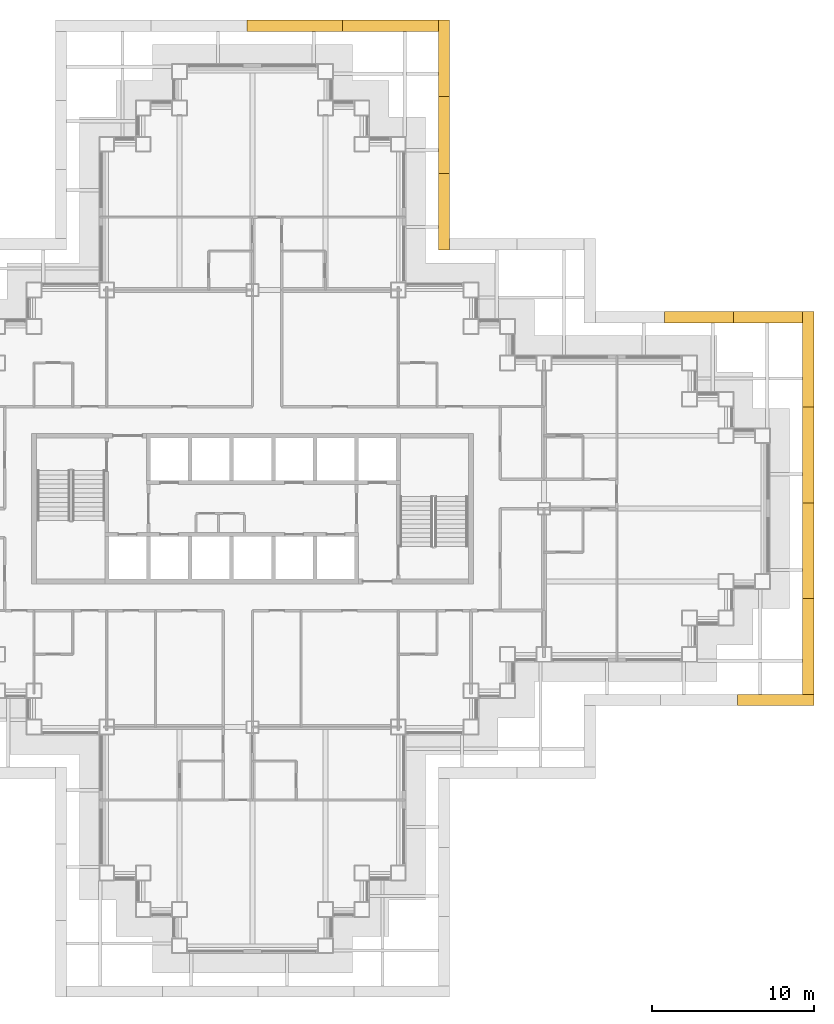
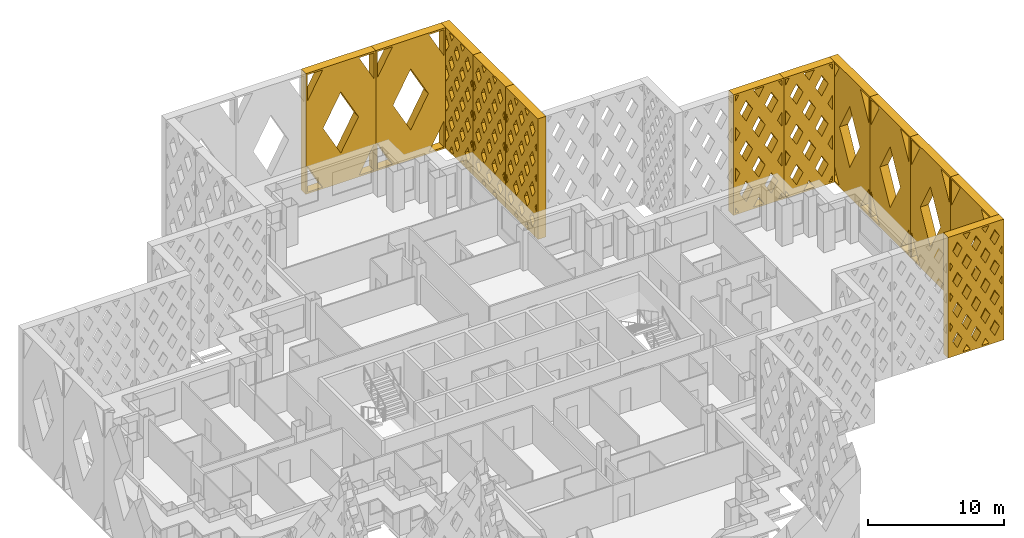
# One storey, part 19 of 19: 12 shading devices.
"""IFC4 building model written with IfcOpenShell, lengths in metres."""

import ifcopenshell
import ifcopenshell.guid

model = None  # the IFC model being written
_history = None  # IfcOwnerHistory: only IFC2X3 demands one
_inside = {}  # id of a spatial element -> (the spatial element, [elements in it])
_under = {}  # id of a project, library or spatial element -> (it, [spatial elements below it])
_declared = {}  # id of a project -> (the project, [libraries it declares])
_typed = {}  # id of a type object -> (the type object, [elements of that type])
_made_of = {}  # id of a material, layer set ... -> (it, [elements and type objects made of it])


def new_model(schema):
    """Start an empty IFC model of exactly this schema.

    Asked for "IFC4X3", IfcOpenShell would pick the latest addendum, in which some entities
    have other attributes; the version numbers below select the first issue.
    IFC2X3 requires an IfcOwnerHistory on every rooted entity: one is made here for all.
    """
    global model, _history
    if schema == "IFC4X3":
        model = ifcopenshell.file(schema_version=(4, 3, 0, 0))
    else:
        model = ifcopenshell.file(schema=schema)
    _inside.clear()
    _under.clear()
    _declared.clear()
    _typed.clear()
    _made_of.clear()
    _history = None
    if model.schema == "IFC2X3":
        org = make("IfcOrganization", Name="unknown")
        user = make(
            "IfcPersonAndOrganization",
            ThePerson=make("IfcPerson", FamilyName="unknown"),
            TheOrganization=org,
        )
        app = make(
            "IfcApplication",
            ApplicationDeveloper=org,
            Version="unknown",
            ApplicationFullName="unknown",
            ApplicationIdentifier="unknown",
        )
        _history = make(
            "IfcOwnerHistory",
            OwningUser=user,
            OwningApplication=app,
            ChangeAction="ADDED",
            CreationDate=0,
        )
    return model


def make(cls, **values):
    """One entity of the class cls with the attributes given. An attribute that is None is left unset."""
    return model.create_entity(
        cls, **{name: value for name, value in values.items() if value is not None}
    )


def rooted(cls, **values):
    """An entity with a GlobalId (a new one), such as an element, a storey or a relation."""
    return make(cls, GlobalId=ifcopenshell.guid.new(), OwnerHistory=_history, **values)


def si_unit(unit_type, name, prefix=None):
    """IfcSIUnit, for example si_unit("LENGTHUNIT", "METRE", prefix="MILLI")."""
    return make("IfcSIUnit", UnitType=unit_type, Prefix=prefix, Name=name)


def assignment(units):
    """IfcUnitAssignment: the units of a project."""
    return None if units is None else make("IfcUnitAssignment", Units=units)


def point(xyz):
    """IfcCartesianPoint."""
    return None if xyz is None else make("IfcCartesianPoint", Coordinates=xyz)


def direction(xyz):
    """IfcDirection."""
    return None if xyz is None else make("IfcDirection", DirectionRatios=xyz)


def frame(location, z_axis=None, x_axis=None):
    """IfcAxis2Placement3D, a coordinate frame: its origin and axes. An axis left out is left unset."""
    return make(
        "IfcAxis2Placement3D",
        Location=point(location),
        Axis=direction(z_axis),
        RefDirection=direction(x_axis),
    )


def origin():
    """The frame at (0, 0, 0) with its axes left unset."""
    return frame((0.0, 0.0, 0.0))


def place(relative_to, where):
    """IfcLocalPlacement: puts the frame where relative to a parent placement (None: the world)."""
    return make(
        "IfcLocalPlacement", PlacementRelTo=relative_to, RelativePlacement=where
    )


def context(
    kind, dimensions, precision=None, world=None, true_north=None, identifier=None
):
    """IfcGeometricRepresentationContext, for example the 3D "Model" context."""
    return make(
        "IfcGeometricRepresentationContext",
        ContextIdentifier=identifier,
        ContextType=kind,
        CoordinateSpaceDimension=dimensions,
        Precision=precision,
        WorldCoordinateSystem=world,
        TrueNorth=true_north,
    )


def subcontext(parent, identifier, kind, view, scale=None):
    """IfcGeometricRepresentationSubContext, for example "Body" below "Model"."""
    return make(
        "IfcGeometricRepresentationSubContext",
        ContextIdentifier=identifier,
        ContextType=kind,
        ParentContext=parent,
        TargetScale=scale,
        TargetView=view,
    )


def project(units=None, contexts=None):
    """IfcProject with its units and contexts."""
    return rooted(
        "IfcProject",
        Name="project",
        RepresentationContexts=contexts,
        UnitsInContext=assignment(units),
    )


def spatial(cls, under=None, at=None, **own):
    """A site, building, storey or space (cls), placed at a placement, below another one or the project."""
    s = rooted(cls, ObjectPlacement=at, **own)
    if under is not None:
        _under.setdefault(under.id(), (under, []))[1].append(s)
    return s


def polyline(points):
    """IfcPolyline through the points."""
    return make("IfcPolyline", Points=[point(p) for p in points])


def outline(outer, holes=None, kind="AREA"):
    """IfcArbitraryClosedProfileDef: a profile drawn as a closed curve; with holes, ...WithVoids."""
    if holes is None:
        return make("IfcArbitraryClosedProfileDef", ProfileType=kind, OuterCurve=outer)
    return make(
        "IfcArbitraryProfileDefWithVoids",
        ProfileType=kind,
        OuterCurve=outer,
        InnerCurves=holes,
    )


def extrude(swept, where, along, depth):
    """IfcExtrudedAreaSolid: the profile swept, set in the frame where, extruded along a direction by depth."""
    return make(
        "IfcExtrudedAreaSolid",
        SweptArea=swept,
        Position=where,
        ExtrudedDirection=direction(along),
        Depth=depth,
    )


def shape(context_of_items, identifier, shape_type, items):
    """IfcShapeRepresentation: the items that make up one representation, for example the "Body"."""
    return make(
        "IfcShapeRepresentation",
        ContextOfItems=context_of_items,
        RepresentationIdentifier=identifier,
        RepresentationType=shape_type,
        Items=items,
    )


def material(Name=None, Category=None):
    """IfcMaterial."""
    return make("IfcMaterial", Name=Name, Category=Category)


def made_of(thing, what):
    """Note that an element or type object is made of a material, layer set ...; save() writes the relation."""
    if what is not None:
        _made_of.setdefault(what.id(), (what, []))[1].append(thing)
    return thing


def type_object(cls, material=None, **own):
    """A type object (cls), such as IfcWallType, which elements share."""
    return made_of(rooted(cls, **own), material)


def element(
    cls,
    number,
    at=None,
    inside=None,
    cuts=None,
    type_object=None,
    material=None,
    context=None,
    identifier="Body",
    shape_type=None,
    held_by="IfcProductDefinitionShape",
    body=None,
    shapes=None,
    **own,
):
    """One element of the class cls, such as IfcWall. Its Tag is "e" and its number.

    at: its placement. inside: the storey or other place that contains it. cuts: it is an
    opening in that element (IfcRelVoidsElement). A single representation is given by context,
    identifier, shape_type and body (its items); several are given by shapes. held_by: the class
    of the entity that holds the representations. save() writes the other relations.
    """
    e = rooted(cls, Tag="e%d" % number, ObjectPlacement=at, **own)
    if body is not None:
        shapes = [shape(context, identifier, shape_type, body)]
    if shapes is not None:
        e.Representation = make(held_by, Representations=shapes)
    if inside is not None:
        _inside.setdefault(inside.id(), (inside, []))[1].append(e)
    if cuts is not None:
        rooted(
            "IfcRelVoidsElement", RelatingBuildingElement=cuts, RelatedOpeningElement=e
        )
    if type_object is not None:
        _typed.setdefault(type_object.id(), (type_object, []))[1].append(e)
    return made_of(e, material)


def aggregate(whole, parts):
    """IfcRelAggregates: a whole, such as a stair, and the parts it consists of."""
    return rooted("IfcRelAggregates", RelatingObject=whole, RelatedObjects=parts)


def save(model, path):
    """Write the relations noted so far, then the file.

    IfcRelAggregates (storeys below a building ...), IfcRelContainedInSpatialStructure (elements
    in a storey), IfcRelDefinesByType, IfcRelAssociatesMaterial and IfcRelDeclares: one each for
    every whole, place, type object, material and project.
    """
    for whole, parts in _under.values():
        aggregate(whole, parts)
    for where, things in _inside.values():
        rooted(
            "IfcRelContainedInSpatialStructure",
            RelatedElements=things,
            RelatingStructure=where,
        )
    for kind, things in _typed.values():
        rooted("IfcRelDefinesByType", RelatedObjects=things, RelatingType=kind)
    for what, things in _made_of.values():
        rooted("IfcRelAssociatesMaterial", RelatedObjects=things, RelatingMaterial=what)
    for by, libraries in _declared.values():
        rooted("IfcRelDeclares", RelatingContext=by, RelatedDefinitions=libraries)
    model.write(path)


model = new_model("IFC4")

# Units and contexts
model_context = context("Model", 3, precision=1e-05, world=origin(), true_north=direction((0.0, 1.0)))
body_context = subcontext(model_context, "Body", "Model", "MODEL_VIEW")
ifc_project = project(units=[si_unit("LENGTHUNIT", "METRE"), si_unit("AREAUNIT", "SQUARE_METRE"), si_unit("VOLUMEUNIT", "CUBIC_METRE"), si_unit("PLANEANGLEUNIT", "RADIAN"), si_unit("MASSUNIT", "GRAM", prefix="KILO")], contexts=[model_context])

# Site, building, storey
site_placement = place(None, origin())
site = spatial("IfcSite", under=ifc_project, at=site_placement, CompositionType="ELEMENT")
building_placement = place(site_placement, origin())
building = spatial("IfcBuilding", under=site, at=building_placement, Name="Caravel Reach Hotel and Residences", CompositionType="ELEMENT")
storey_placement = place(building_placement, frame((0.0, 0.0, 85.199951171875)))
storey = spatial("IfcBuildingStorey", under=building, at=storey_placement, Name="L20", CompositionType="ELEMENT", Elevation=85.199951171875)

# Shading devices
ifc_material_1 = material(Name="Black powder-coated aluminium", Category="aluminium")
shading_device_type_1 = type_object("IfcShadingDeviceType", Name="Diamond lattice screen panel 4267 x 10800", PredefinedType="USERDEFINED", material=ifc_material_1)
shading_device_1_placement = place(storey_placement, frame((65.47509765625, 38.47509765625, 0.0), z_axis=(0.0, 1.0, 0.0), x_axis=(-1.0, 0.0, 0.0)))
element("IfcShadingDevice", 1, at=shading_device_1_placement, inside=storey, type_object=shading_device_type_1, Name="Lattice screen L20-L22 8.1", ObjectType="SCREEN", PredefinedType="USERDEFINED", context=body_context, shape_type="SweptSolid", body=[
    extrude(outline(polyline([(0.0, 0.0), (4.2666015625, 0.0), (4.2666015625, 10.800048828125), (0.0, 10.800048828125), (0.0, 0.0)]), holes=[polyline([(0.457275390625, 0.14990234375), (0.14990234375, 0.66845703125), (0.14990234375, 0.14990234375), (0.457275390625, 0.14990234375)]), polyline([(0.546142578125, 3.60009765625), (0.14990234375, 4.2685546875), (0.14990234375, 2.931396484375), (0.546142578125, 3.60009765625)]), polyline([(0.546142578125, 7.199951171875), (0.14990234375, 7.868408203125), (0.14990234375, 6.531494140625), (0.546142578125, 7.199951171875)]), polyline([(0.14990234375, 10.131591796875), (0.457275390625, 10.64990234375), (0.14990234375, 10.64990234375), (0.14990234375, 10.131591796875)]), polyline([(1.066650390625, 2.7216796875), (0.5205078125, 1.800048828125), (1.066650390625, 0.87841796875), (1.61279296875, 1.800048828125), (1.066650390625, 2.7216796875)]), polyline([(1.066650390625, 6.321533203125), (0.5205078125, 5.39990234375), (1.066650390625, 4.478271484375), (1.61279296875, 5.39990234375), (1.066650390625, 6.321533203125)]), polyline([(1.066650390625, 9.921630859375), (0.5205078125, 9.0), (1.066650390625, 8.078369140625), (1.61279296875, 9.0), (1.066650390625, 9.921630859375)]), polyline([(2.13330078125, 0.921630859375), (1.676025390625, 0.14990234375), (2.590576171875, 0.14990234375), (2.13330078125, 0.921630859375)]), polyline([(2.13330078125, 4.521728515625), (1.587158203125, 3.60009765625), (2.13330078125, 2.678466796875), (2.679443359375, 3.60009765625), (2.13330078125, 4.521728515625)]), polyline([(2.13330078125, 8.12158203125), (1.587158203125, 7.199951171875), (2.13330078125, 6.2783203125), (2.679443359375, 7.199951171875), (2.13330078125, 8.12158203125)]), polyline([(2.13330078125, 9.87841796875), (2.590576171875, 10.64990234375), (1.676025390625, 10.64990234375), (2.13330078125, 9.87841796875)]), polyline([(3.199951171875, 2.7216796875), (2.65380859375, 1.800048828125), (3.199951171875, 0.87841796875), (3.74609375, 1.800048828125), (3.199951171875, 2.7216796875)]), polyline([(3.199951171875, 6.321533203125), (2.65380859375, 5.39990234375), (3.199951171875, 4.478271484375), (3.74609375, 5.39990234375), (3.199951171875, 6.321533203125)]), polyline([(3.199951171875, 9.921630859375), (2.65380859375, 9.0), (3.199951171875, 8.078369140625), (3.74609375, 9.0), (3.199951171875, 9.921630859375)]), polyline([(4.11669921875, 0.66845703125), (3.809326171875, 0.14990234375), (4.11669921875, 0.14990234375), (4.11669921875, 0.66845703125)]), polyline([(3.720458984375, 3.60009765625), (4.11669921875, 2.931396484375), (4.11669921875, 4.2685546875), (3.720458984375, 3.60009765625)]), polyline([(3.720458984375, 7.199951171875), (4.11669921875, 6.531494140625), (4.11669921875, 7.868408203125), (3.720458984375, 7.199951171875)]), polyline([(3.809326171875, 10.64990234375), (4.11669921875, 10.131591796875), (4.11669921875, 10.64990234375), (3.809326171875, 10.64990234375)])]), origin(), (0.0, 0.0, 1.0), 0.699951171875),
])
shading_device_2_placement = place(storey_placement, frame((61.208251953125, 38.47509765625, 0.0), z_axis=(0.0, 1.0, 0.0), x_axis=(-1.0, 0.0, 0.0)))
element("IfcShadingDevice", 2, at=shading_device_2_placement, inside=storey, type_object=shading_device_type_1, Name="Lattice screen L20-L22 8.2", ObjectType="SCREEN", PredefinedType="USERDEFINED", context=body_context, shape_type="SweptSolid", body=[
    extrude(outline(polyline([(0.0, 0.0), (4.2666015625, 0.0), (4.2666015625, 10.800048828125), (0.0, 10.800048828125), (0.0, 0.0)]), holes=[polyline([(0.457275390625, 0.14990234375), (0.14990234375, 0.66845703125), (0.14990234375, 0.14990234375), (0.457275390625, 0.14990234375)]), polyline([(0.546142578125, 3.60009765625), (0.14990234375, 4.2685546875), (0.14990234375, 2.931396484375), (0.546142578125, 3.60009765625)]), polyline([(0.546142578125, 7.199951171875), (0.14990234375, 7.868408203125), (0.14990234375, 6.531494140625), (0.546142578125, 7.199951171875)]), polyline([(0.14990234375, 10.131591796875), (0.457275390625, 10.64990234375), (0.14990234375, 10.64990234375), (0.14990234375, 10.131591796875)]), polyline([(1.066650390625, 2.7216796875), (0.5205078125, 1.800048828125), (1.066650390625, 0.87841796875), (1.61279296875, 1.800048828125), (1.066650390625, 2.7216796875)]), polyline([(1.066650390625, 6.321533203125), (0.5205078125, 5.39990234375), (1.066650390625, 4.478271484375), (1.61279296875, 5.39990234375), (1.066650390625, 6.321533203125)]), polyline([(1.066650390625, 9.921630859375), (0.5205078125, 9.0), (1.066650390625, 8.078369140625), (1.61279296875, 9.0), (1.066650390625, 9.921630859375)]), polyline([(2.13330078125, 0.921630859375), (1.676025390625, 0.14990234375), (2.590576171875, 0.14990234375), (2.13330078125, 0.921630859375)]), polyline([(2.13330078125, 4.521728515625), (1.587158203125, 3.60009765625), (2.13330078125, 2.678466796875), (2.679443359375, 3.60009765625), (2.13330078125, 4.521728515625)]), polyline([(2.13330078125, 8.12158203125), (1.587158203125, 7.199951171875), (2.13330078125, 6.2783203125), (2.679443359375, 7.199951171875), (2.13330078125, 8.12158203125)]), polyline([(2.13330078125, 9.87841796875), (2.590576171875, 10.64990234375), (1.676025390625, 10.64990234375), (2.13330078125, 9.87841796875)]), polyline([(3.199951171875, 2.7216796875), (2.65380859375, 1.800048828125), (3.199951171875, 0.87841796875), (3.74609375, 1.800048828125), (3.199951171875, 2.7216796875)]), polyline([(3.199951171875, 6.321533203125), (2.65380859375, 5.39990234375), (3.199951171875, 4.478271484375), (3.74609375, 5.39990234375), (3.199951171875, 6.321533203125)]), polyline([(3.199951171875, 9.921630859375), (2.65380859375, 9.0), (3.199951171875, 8.078369140625), (3.74609375, 9.0), (3.199951171875, 9.921630859375)]), polyline([(4.11669921875, 0.66845703125), (3.809326171875, 0.14990234375), (4.11669921875, 0.14990234375), (4.11669921875, 0.66845703125)]), polyline([(3.720458984375, 3.60009765625), (4.11669921875, 2.931396484375), (4.11669921875, 4.2685546875), (3.720458984375, 3.60009765625)]), polyline([(3.720458984375, 7.199951171875), (4.11669921875, 6.531494140625), (4.11669921875, 7.868408203125), (3.720458984375, 7.199951171875)]), polyline([(3.809326171875, 10.64990234375), (4.11669921875, 10.131591796875), (4.11669921875, 10.64990234375), (3.809326171875, 10.64990234375)])]), origin(), (0.0, 0.0, 1.0), 0.699951171875),
])
ifc_material_2 = material(Name="Black powder-coated aluminium", Category="aluminium")
shading_device_type_2 = type_object("IfcShadingDeviceType", Name="Diamond lattice screen panel 4733 x 10800", PredefinedType="USERDEFINED", material=ifc_material_2)
shading_device_3_placement = place(storey_placement, frame((61.441650390625, 15.52490234375, 0.0), z_axis=(0.0, -1.0, 0.0), x_axis=(1.0, 0.0, 0.0)))
element("IfcShadingDevice", 3, at=shading_device_3_placement, inside=storey, type_object=shading_device_type_2, Name="Lattice screen L20-L22 6.3", ObjectType="SCREEN", PredefinedType="USERDEFINED", context=body_context, shape_type="SweptSolid", body=[
    extrude(outline(polyline([(0.0, 0.0), (4.7333984375, 0.0), (4.7333984375, 10.800048828125), (0.0, 10.800048828125), (0.0, 0.0)]), holes=[polyline([(0.4013671875, 2.699951171875), (0.14990234375, 3.130126953125), (0.14990234375, 2.269775390625), (0.4013671875, 2.699951171875)]), polyline([(0.4013671875, 5.39990234375), (0.14990234375, 5.830078125), (0.14990234375, 4.969970703125), (0.4013671875, 5.39990234375)]), polyline([(0.4013671875, 8.10009765625), (0.14990234375, 8.530029296875), (0.14990234375, 7.669921875), (0.4013671875, 8.10009765625)]), polyline([(0.788818359375, 2.036865234375), (0.387451171875, 1.35009765625), (0.788818359375, 0.6630859375), (1.190185546875, 1.35009765625), (0.788818359375, 2.036865234375)]), polyline([(0.788818359375, 4.73681640625), (0.387451171875, 4.050048828125), (0.788818359375, 3.36328125), (1.190185546875, 4.050048828125), (0.788818359375, 4.73681640625)]), polyline([(0.788818359375, 7.436767578125), (0.387451171875, 6.75), (0.788818359375, 6.063232421875), (1.190185546875, 6.75), (0.788818359375, 7.436767578125)]), polyline([(0.788818359375, 10.13671875), (0.387451171875, 9.449951171875), (0.788818359375, 8.76318359375), (1.190185546875, 9.449951171875), (0.788818359375, 10.13671875)]), polyline([(1.577880859375, 0.686767578125), (1.26416015625, 0.14990234375), (1.8916015625, 0.14990234375), (1.577880859375, 0.686767578125)]), polyline([(1.577880859375, 3.38671875), (1.176513671875, 2.699951171875), (1.577880859375, 2.01318359375), (1.979248046875, 2.699951171875), (1.577880859375, 3.38671875)]), polyline([(1.577880859375, 6.0869140625), (1.176513671875, 5.39990234375), (1.577880859375, 4.713134765625), (1.979248046875, 5.39990234375), (1.577880859375, 6.0869140625)]), polyline([(1.577880859375, 8.786865234375), (1.176513671875, 8.10009765625), (1.577880859375, 7.4130859375), (1.979248046875, 8.10009765625), (1.577880859375, 8.786865234375)]), polyline([(1.577880859375, 10.11328125), (1.8916015625, 10.64990234375), (1.26416015625, 10.64990234375), (1.577880859375, 10.11328125)]), polyline([(2.36669921875, 2.036865234375), (1.96533203125, 1.35009765625), (2.36669921875, 0.6630859375), (2.76806640625, 1.35009765625), (2.36669921875, 2.036865234375)]), polyline([(2.36669921875, 4.73681640625), (1.96533203125, 4.050048828125), (2.36669921875, 3.36328125), (2.76806640625, 4.050048828125), (2.36669921875, 4.73681640625)]), polyline([(2.36669921875, 7.436767578125), (1.96533203125, 6.75), (2.36669921875, 6.063232421875), (2.76806640625, 6.75), (2.36669921875, 7.436767578125)]), polyline([(2.36669921875, 10.13671875), (1.96533203125, 9.449951171875), (2.36669921875, 8.76318359375), (2.76806640625, 9.449951171875), (2.36669921875, 10.13671875)]), polyline([(3.155517578125, 0.686767578125), (2.841796875, 0.14990234375), (3.46923828125, 0.14990234375), (3.155517578125, 0.686767578125)]), polyline([(3.155517578125, 3.38671875), (2.754150390625, 2.699951171875), (3.155517578125, 2.01318359375), (3.556884765625, 2.699951171875), (3.155517578125, 3.38671875)]), polyline([(3.155517578125, 6.0869140625), (2.754150390625, 5.39990234375), (3.155517578125, 4.713134765625), (3.556884765625, 5.39990234375), (3.155517578125, 6.0869140625)]), polyline([(3.155517578125, 8.786865234375), (2.754150390625, 8.10009765625), (3.155517578125, 7.4130859375), (3.556884765625, 8.10009765625), (3.155517578125, 8.786865234375)]), polyline([(3.155517578125, 10.11328125), (3.46923828125, 10.64990234375), (2.841796875, 10.64990234375), (3.155517578125, 10.11328125)]), polyline([(3.9443359375, 2.036865234375), (3.54296875, 1.35009765625), (3.9443359375, 0.6630859375), (4.345703125, 1.35009765625), (3.9443359375, 2.036865234375)]), polyline([(3.9443359375, 4.73681640625), (3.54296875, 4.050048828125), (3.9443359375, 3.36328125), (4.345703125, 4.050048828125), (3.9443359375, 4.73681640625)]), polyline([(3.9443359375, 7.436767578125), (3.54296875, 6.75), (3.9443359375, 6.063232421875), (4.345703125, 6.75), (3.9443359375, 7.436767578125)]), polyline([(3.9443359375, 10.13671875), (3.54296875, 9.449951171875), (3.9443359375, 8.76318359375), (4.345703125, 9.449951171875), (3.9443359375, 10.13671875)]), polyline([(4.33203125, 2.699951171875), (4.583251953125, 2.269775390625), (4.583251953125, 3.130126953125), (4.33203125, 2.699951171875)]), polyline([(4.33203125, 5.39990234375), (4.583251953125, 4.969970703125), (4.583251953125, 5.830078125), (4.33203125, 5.39990234375)]), polyline([(4.33203125, 8.10009765625), (4.583251953125, 7.669921875), (4.583251953125, 8.530029296875), (4.33203125, 8.10009765625)])]), origin(), (0.0, 0.0, 1.0), 0.699951171875),
])
shading_device_4_placement = place(storey_placement, frame((42.97509765625, 42.97509765625, 0.0), z_axis=(1.0, 0.0, 0.0), x_axis=(0.0, 1.0, 0.0)))
element("IfcShadingDevice", 4, at=shading_device_4_placement, inside=storey, type_object=shading_device_type_2, Name="Lattice screen L20-L22 11.1", ObjectType="SCREEN", PredefinedType="USERDEFINED", context=body_context, shape_type="SweptSolid", body=[
    extrude(outline(polyline([(0.0, 0.0), (4.7333984375, 0.0), (4.7333984375, 10.800048828125), (0.0, 10.800048828125), (0.0, 0.0)]), holes=[polyline([(0.4013671875, 2.699951171875), (0.14990234375, 3.130126953125), (0.14990234375, 2.269775390625), (0.4013671875, 2.699951171875)]), polyline([(0.4013671875, 5.39990234375), (0.14990234375, 5.830078125), (0.14990234375, 4.969970703125), (0.4013671875, 5.39990234375)]), polyline([(0.4013671875, 8.10009765625), (0.14990234375, 8.530029296875), (0.14990234375, 7.669921875), (0.4013671875, 8.10009765625)]), polyline([(0.788818359375, 2.036865234375), (0.387451171875, 1.35009765625), (0.788818359375, 0.6630859375), (1.190185546875, 1.35009765625), (0.788818359375, 2.036865234375)]), polyline([(0.788818359375, 4.73681640625), (0.387451171875, 4.050048828125), (0.788818359375, 3.36328125), (1.190185546875, 4.050048828125), (0.788818359375, 4.73681640625)]), polyline([(0.788818359375, 7.436767578125), (0.387451171875, 6.75), (0.788818359375, 6.063232421875), (1.190185546875, 6.75), (0.788818359375, 7.436767578125)]), polyline([(0.788818359375, 10.13671875), (0.387451171875, 9.449951171875), (0.788818359375, 8.76318359375), (1.190185546875, 9.449951171875), (0.788818359375, 10.13671875)]), polyline([(1.577880859375, 0.686767578125), (1.26416015625, 0.14990234375), (1.8916015625, 0.14990234375), (1.577880859375, 0.686767578125)]), polyline([(1.577880859375, 3.38671875), (1.176513671875, 2.699951171875), (1.577880859375, 2.01318359375), (1.979248046875, 2.699951171875), (1.577880859375, 3.38671875)]), polyline([(1.577880859375, 6.0869140625), (1.176513671875, 5.39990234375), (1.577880859375, 4.713134765625), (1.979248046875, 5.39990234375), (1.577880859375, 6.0869140625)]), polyline([(1.577880859375, 8.786865234375), (1.176513671875, 8.10009765625), (1.577880859375, 7.4130859375), (1.979248046875, 8.10009765625), (1.577880859375, 8.786865234375)]), polyline([(1.577880859375, 10.11328125), (1.8916015625, 10.64990234375), (1.26416015625, 10.64990234375), (1.577880859375, 10.11328125)]), polyline([(2.36669921875, 2.036865234375), (1.96533203125, 1.35009765625), (2.36669921875, 0.6630859375), (2.76806640625, 1.35009765625), (2.36669921875, 2.036865234375)]), polyline([(2.36669921875, 4.73681640625), (1.96533203125, 4.050048828125), (2.36669921875, 3.36328125), (2.76806640625, 4.050048828125), (2.36669921875, 4.73681640625)]), polyline([(2.36669921875, 7.436767578125), (1.96533203125, 6.75), (2.36669921875, 6.063232421875), (2.76806640625, 6.75), (2.36669921875, 7.436767578125)]), polyline([(2.36669921875, 10.13671875), (1.96533203125, 9.449951171875), (2.36669921875, 8.76318359375), (2.76806640625, 9.449951171875), (2.36669921875, 10.13671875)]), polyline([(3.155517578125, 0.686767578125), (2.841796875, 0.14990234375), (3.46923828125, 0.14990234375), (3.155517578125, 0.686767578125)]), polyline([(3.155517578125, 3.38671875), (2.754150390625, 2.699951171875), (3.155517578125, 2.01318359375), (3.556884765625, 2.699951171875), (3.155517578125, 3.38671875)]), polyline([(3.155517578125, 6.0869140625), (2.754150390625, 5.39990234375), (3.155517578125, 4.713134765625), (3.556884765625, 5.39990234375), (3.155517578125, 6.0869140625)]), polyline([(3.155517578125, 8.786865234375), (2.754150390625, 8.10009765625), (3.155517578125, 7.4130859375), (3.556884765625, 8.10009765625), (3.155517578125, 8.786865234375)]), polyline([(3.155517578125, 10.11328125), (3.46923828125, 10.64990234375), (2.841796875, 10.64990234375), (3.155517578125, 10.11328125)]), polyline([(3.9443359375, 2.036865234375), (3.54296875, 1.35009765625), (3.9443359375, 0.6630859375), (4.345703125, 1.35009765625), (3.9443359375, 2.036865234375)]), polyline([(3.9443359375, 4.73681640625), (3.54296875, 4.050048828125), (3.9443359375, 3.36328125), (4.345703125, 4.050048828125), (3.9443359375, 4.73681640625)]), polyline([(3.9443359375, 7.436767578125), (3.54296875, 6.75), (3.9443359375, 6.063232421875), (4.345703125, 6.75), (3.9443359375, 7.436767578125)]), polyline([(3.9443359375, 10.13671875), (3.54296875, 9.449951171875), (3.9443359375, 8.76318359375), (4.345703125, 9.449951171875), (3.9443359375, 10.13671875)]), polyline([(4.33203125, 2.699951171875), (4.583251953125, 2.269775390625), (4.583251953125, 3.130126953125), (4.33203125, 2.699951171875)]), polyline([(4.33203125, 5.39990234375), (4.583251953125, 4.969970703125), (4.583251953125, 5.830078125), (4.33203125, 5.39990234375)]), polyline([(4.33203125, 8.10009765625), (4.583251953125, 7.669921875), (4.583251953125, 8.530029296875), (4.33203125, 8.10009765625)])]), origin(), (0.0, 0.0, 1.0), 0.699951171875),
])
shading_device_5_placement = place(storey_placement, frame((42.97509765625, 47.708251953125, 0.0), z_axis=(1.0, 0.0, 0.0), x_axis=(0.0, 1.0, 0.0)))
element("IfcShadingDevice", 5, at=shading_device_5_placement, inside=storey, type_object=shading_device_type_2, Name="Lattice screen L20-L22 11.2", ObjectType="SCREEN", PredefinedType="USERDEFINED", context=body_context, shape_type="SweptSolid", body=[
    extrude(outline(polyline([(0.0, 0.0), (4.7333984375, 0.0), (4.7333984375, 10.800048828125), (0.0, 10.800048828125), (0.0, 0.0)]), holes=[polyline([(0.4013671875, 2.699951171875), (0.14990234375, 3.130126953125), (0.14990234375, 2.269775390625), (0.4013671875, 2.699951171875)]), polyline([(0.4013671875, 5.39990234375), (0.14990234375, 5.830078125), (0.14990234375, 4.969970703125), (0.4013671875, 5.39990234375)]), polyline([(0.4013671875, 8.10009765625), (0.14990234375, 8.530029296875), (0.14990234375, 7.669921875), (0.4013671875, 8.10009765625)]), polyline([(0.788818359375, 2.036865234375), (0.387451171875, 1.35009765625), (0.788818359375, 0.6630859375), (1.190185546875, 1.35009765625), (0.788818359375, 2.036865234375)]), polyline([(0.788818359375, 4.73681640625), (0.387451171875, 4.050048828125), (0.788818359375, 3.36328125), (1.190185546875, 4.050048828125), (0.788818359375, 4.73681640625)]), polyline([(0.788818359375, 7.436767578125), (0.387451171875, 6.75), (0.788818359375, 6.063232421875), (1.190185546875, 6.75), (0.788818359375, 7.436767578125)]), polyline([(0.788818359375, 10.13671875), (0.387451171875, 9.449951171875), (0.788818359375, 8.76318359375), (1.190185546875, 9.449951171875), (0.788818359375, 10.13671875)]), polyline([(1.577880859375, 0.686767578125), (1.26416015625, 0.14990234375), (1.8916015625, 0.14990234375), (1.577880859375, 0.686767578125)]), polyline([(1.577880859375, 3.38671875), (1.176513671875, 2.699951171875), (1.577880859375, 2.01318359375), (1.979248046875, 2.699951171875), (1.577880859375, 3.38671875)]), polyline([(1.577880859375, 6.0869140625), (1.176513671875, 5.39990234375), (1.577880859375, 4.713134765625), (1.979248046875, 5.39990234375), (1.577880859375, 6.0869140625)]), polyline([(1.577880859375, 8.786865234375), (1.176513671875, 8.10009765625), (1.577880859375, 7.4130859375), (1.979248046875, 8.10009765625), (1.577880859375, 8.786865234375)]), polyline([(1.577880859375, 10.11328125), (1.8916015625, 10.64990234375), (1.26416015625, 10.64990234375), (1.577880859375, 10.11328125)]), polyline([(2.36669921875, 2.036865234375), (1.96533203125, 1.35009765625), (2.36669921875, 0.6630859375), (2.76806640625, 1.35009765625), (2.36669921875, 2.036865234375)]), polyline([(2.36669921875, 4.73681640625), (1.96533203125, 4.050048828125), (2.36669921875, 3.36328125), (2.76806640625, 4.050048828125), (2.36669921875, 4.73681640625)]), polyline([(2.36669921875, 7.436767578125), (1.96533203125, 6.75), (2.36669921875, 6.063232421875), (2.76806640625, 6.75), (2.36669921875, 7.436767578125)]), polyline([(2.36669921875, 10.13671875), (1.96533203125, 9.449951171875), (2.36669921875, 8.76318359375), (2.76806640625, 9.449951171875), (2.36669921875, 10.13671875)]), polyline([(3.155517578125, 0.686767578125), (2.841796875, 0.14990234375), (3.46923828125, 0.14990234375), (3.155517578125, 0.686767578125)]), polyline([(3.155517578125, 3.38671875), (2.754150390625, 2.699951171875), (3.155517578125, 2.01318359375), (3.556884765625, 2.699951171875), (3.155517578125, 3.38671875)]), polyline([(3.155517578125, 6.0869140625), (2.754150390625, 5.39990234375), (3.155517578125, 4.713134765625), (3.556884765625, 5.39990234375), (3.155517578125, 6.0869140625)]), polyline([(3.155517578125, 8.786865234375), (2.754150390625, 8.10009765625), (3.155517578125, 7.4130859375), (3.556884765625, 8.10009765625), (3.155517578125, 8.786865234375)]), polyline([(3.155517578125, 10.11328125), (3.46923828125, 10.64990234375), (2.841796875, 10.64990234375), (3.155517578125, 10.11328125)]), polyline([(3.9443359375, 2.036865234375), (3.54296875, 1.35009765625), (3.9443359375, 0.6630859375), (4.345703125, 1.35009765625), (3.9443359375, 2.036865234375)]), polyline([(3.9443359375, 4.73681640625), (3.54296875, 4.050048828125), (3.9443359375, 3.36328125), (4.345703125, 4.050048828125), (3.9443359375, 4.73681640625)]), polyline([(3.9443359375, 7.436767578125), (3.54296875, 6.75), (3.9443359375, 6.063232421875), (4.345703125, 6.75), (3.9443359375, 7.436767578125)]), polyline([(3.9443359375, 10.13671875), (3.54296875, 9.449951171875), (3.9443359375, 8.76318359375), (4.345703125, 9.449951171875), (3.9443359375, 10.13671875)]), polyline([(4.33203125, 2.699951171875), (4.583251953125, 2.269775390625), (4.583251953125, 3.130126953125), (4.33203125, 2.699951171875)]), polyline([(4.33203125, 5.39990234375), (4.583251953125, 4.969970703125), (4.583251953125, 5.830078125), (4.33203125, 5.39990234375)]), polyline([(4.33203125, 8.10009765625), (4.583251953125, 7.669921875), (4.583251953125, 8.530029296875), (4.33203125, 8.10009765625)])]), origin(), (0.0, 0.0, 1.0), 0.699951171875),
])
shading_device_6_placement = place(storey_placement, frame((42.97509765625, 52.441650390625, 0.0), z_axis=(1.0, 0.0, 0.0), x_axis=(0.0, 1.0, 0.0)))
element("IfcShadingDevice", 6, at=shading_device_6_placement, inside=storey, type_object=shading_device_type_2, Name="Lattice screen L20-L22 11.3", ObjectType="SCREEN", PredefinedType="USERDEFINED", context=body_context, shape_type="SweptSolid", body=[
    extrude(outline(polyline([(0.0, 0.0), (4.7333984375, 0.0), (4.7333984375, 10.800048828125), (0.0, 10.800048828125), (0.0, 0.0)]), holes=[polyline([(0.4013671875, 2.699951171875), (0.14990234375, 3.130126953125), (0.14990234375, 2.269775390625), (0.4013671875, 2.699951171875)]), polyline([(0.4013671875, 5.39990234375), (0.14990234375, 5.830078125), (0.14990234375, 4.969970703125), (0.4013671875, 5.39990234375)]), polyline([(0.4013671875, 8.10009765625), (0.14990234375, 8.530029296875), (0.14990234375, 7.669921875), (0.4013671875, 8.10009765625)]), polyline([(0.788818359375, 2.036865234375), (0.387451171875, 1.35009765625), (0.788818359375, 0.6630859375), (1.190185546875, 1.35009765625), (0.788818359375, 2.036865234375)]), polyline([(0.788818359375, 4.73681640625), (0.387451171875, 4.050048828125), (0.788818359375, 3.36328125), (1.190185546875, 4.050048828125), (0.788818359375, 4.73681640625)]), polyline([(0.788818359375, 7.436767578125), (0.387451171875, 6.75), (0.788818359375, 6.063232421875), (1.190185546875, 6.75), (0.788818359375, 7.436767578125)]), polyline([(0.788818359375, 10.13671875), (0.387451171875, 9.449951171875), (0.788818359375, 8.76318359375), (1.190185546875, 9.449951171875), (0.788818359375, 10.13671875)]), polyline([(1.577880859375, 0.686767578125), (1.26416015625, 0.14990234375), (1.8916015625, 0.14990234375), (1.577880859375, 0.686767578125)]), polyline([(1.577880859375, 3.38671875), (1.176513671875, 2.699951171875), (1.577880859375, 2.01318359375), (1.979248046875, 2.699951171875), (1.577880859375, 3.38671875)]), polyline([(1.577880859375, 6.0869140625), (1.176513671875, 5.39990234375), (1.577880859375, 4.713134765625), (1.979248046875, 5.39990234375), (1.577880859375, 6.0869140625)]), polyline([(1.577880859375, 8.786865234375), (1.176513671875, 8.10009765625), (1.577880859375, 7.4130859375), (1.979248046875, 8.10009765625), (1.577880859375, 8.786865234375)]), polyline([(1.577880859375, 10.11328125), (1.8916015625, 10.64990234375), (1.26416015625, 10.64990234375), (1.577880859375, 10.11328125)]), polyline([(2.36669921875, 2.036865234375), (1.96533203125, 1.35009765625), (2.36669921875, 0.6630859375), (2.76806640625, 1.35009765625), (2.36669921875, 2.036865234375)]), polyline([(2.36669921875, 4.73681640625), (1.96533203125, 4.050048828125), (2.36669921875, 3.36328125), (2.76806640625, 4.050048828125), (2.36669921875, 4.73681640625)]), polyline([(2.36669921875, 7.436767578125), (1.96533203125, 6.75), (2.36669921875, 6.063232421875), (2.76806640625, 6.75), (2.36669921875, 7.436767578125)]), polyline([(2.36669921875, 10.13671875), (1.96533203125, 9.449951171875), (2.36669921875, 8.76318359375), (2.76806640625, 9.449951171875), (2.36669921875, 10.13671875)]), polyline([(3.155517578125, 0.686767578125), (2.841796875, 0.14990234375), (3.46923828125, 0.14990234375), (3.155517578125, 0.686767578125)]), polyline([(3.155517578125, 3.38671875), (2.754150390625, 2.699951171875), (3.155517578125, 2.01318359375), (3.556884765625, 2.699951171875), (3.155517578125, 3.38671875)]), polyline([(3.155517578125, 6.0869140625), (2.754150390625, 5.39990234375), (3.155517578125, 4.713134765625), (3.556884765625, 5.39990234375), (3.155517578125, 6.0869140625)]), polyline([(3.155517578125, 8.786865234375), (2.754150390625, 8.10009765625), (3.155517578125, 7.4130859375), (3.556884765625, 8.10009765625), (3.155517578125, 8.786865234375)]), polyline([(3.155517578125, 10.11328125), (3.46923828125, 10.64990234375), (2.841796875, 10.64990234375), (3.155517578125, 10.11328125)]), polyline([(3.9443359375, 2.036865234375), (3.54296875, 1.35009765625), (3.9443359375, 0.6630859375), (4.345703125, 1.35009765625), (3.9443359375, 2.036865234375)]), polyline([(3.9443359375, 4.73681640625), (3.54296875, 4.050048828125), (3.9443359375, 3.36328125), (4.345703125, 4.050048828125), (3.9443359375, 4.73681640625)]), polyline([(3.9443359375, 7.436767578125), (3.54296875, 6.75), (3.9443359375, 6.063232421875), (4.345703125, 6.75), (3.9443359375, 7.436767578125)]), polyline([(3.9443359375, 10.13671875), (3.54296875, 9.449951171875), (3.9443359375, 8.76318359375), (4.345703125, 9.449951171875), (3.9443359375, 10.13671875)]), polyline([(4.33203125, 2.699951171875), (4.583251953125, 2.269775390625), (4.583251953125, 3.130126953125), (4.33203125, 2.699951171875)]), polyline([(4.33203125, 5.39990234375), (4.583251953125, 4.969970703125), (4.583251953125, 5.830078125), (4.33203125, 5.39990234375)]), polyline([(4.33203125, 8.10009765625), (4.583251953125, 7.669921875), (4.583251953125, 8.530029296875), (4.33203125, 8.10009765625)])]), origin(), (0.0, 0.0, 1.0), 0.699951171875),
])
ifc_material_3 = material(Name="Black powder-coated aluminium", Category="aluminium")
shading_device_type_3 = type_object("IfcShadingDeviceType", Name="Diamond lattice screen panel 5913 x 10800", PredefinedType="USERDEFINED", material=ifc_material_3)
for number, where, z_axis, x_axis, name in (
    (7, (65.47509765625, 15.52490234375, 0.0), (1.0, 0.0, 0.0), (0.0, 1.0, 0.0), "Lattice screen L20-L22 7.1"),
    (8, (65.47509765625, 21.4375, 0.0), (1.0, 0.0, 0.0), (0.0, 1.0, 0.0), "Lattice screen L20-L22 7.2"),
    (9, (65.47509765625, 27.35009765625, 0.0), (1.0, 0.0, 0.0), (0.0, 1.0, 0.0), "Lattice screen L20-L22 7.3"),
    (10, (65.47509765625, 33.262451171875, 0.0), (1.0, 0.0, 0.0), (0.0, 1.0, 0.0), "Lattice screen L20-L22 7.4"),
    (11, (42.97509765625, 56.47509765625, 0.0), (0.0, 1.0, 0.0), (-1.0, 0.0, 0.0), "Lattice screen L20-L22 12.1"),
    (12, (37.0625, 56.47509765625, 0.0), (0.0, 1.0, 0.0), (-1.0, 0.0, 0.0), "Lattice screen L20-L22 12.2"),
):
    element("IfcShadingDevice", number, at=place(storey_placement, frame(where, z_axis=z_axis, x_axis=x_axis)), inside=storey, type_object=shading_device_type_3, Name=name, ObjectType="SCREEN", PredefinedType="USERDEFINED", context=body_context, shape_type="SweptSolid", body=[
        extrude(outline(polyline([(0.0, 0.0), (5.91259765625, 0.0), (5.91259765625, 10.800048828125), (0.0, 10.800048828125), (0.0, 0.0)]), holes=[polyline([(1.415771484375, 0.14990234375), (0.14990234375, 2.4619140625), (0.14990234375, 0.14990234375), (1.415771484375, 0.14990234375)]), polyline([(0.14990234375, 8.338134765625), (1.415771484375, 10.64990234375), (0.14990234375, 10.64990234375), (0.14990234375, 8.338134765625)]), polyline([(2.956298828125, 8.135986328125), (1.45849609375, 5.39990234375), (2.956298828125, 2.6640625), (4.4541015625, 5.39990234375), (2.956298828125, 8.135986328125)]), polyline([(5.762451171875, 2.4619140625), (4.496826171875, 0.14990234375), (5.762451171875, 0.14990234375), (5.762451171875, 2.4619140625)]), polyline([(4.496826171875, 10.64990234375), (5.762451171875, 8.338134765625), (5.762451171875, 10.64990234375), (4.496826171875, 10.64990234375)])]), origin(), (0.0, 0.0, 1.0), 0.699951171875),
    ])

save(model, "model.ifc")
